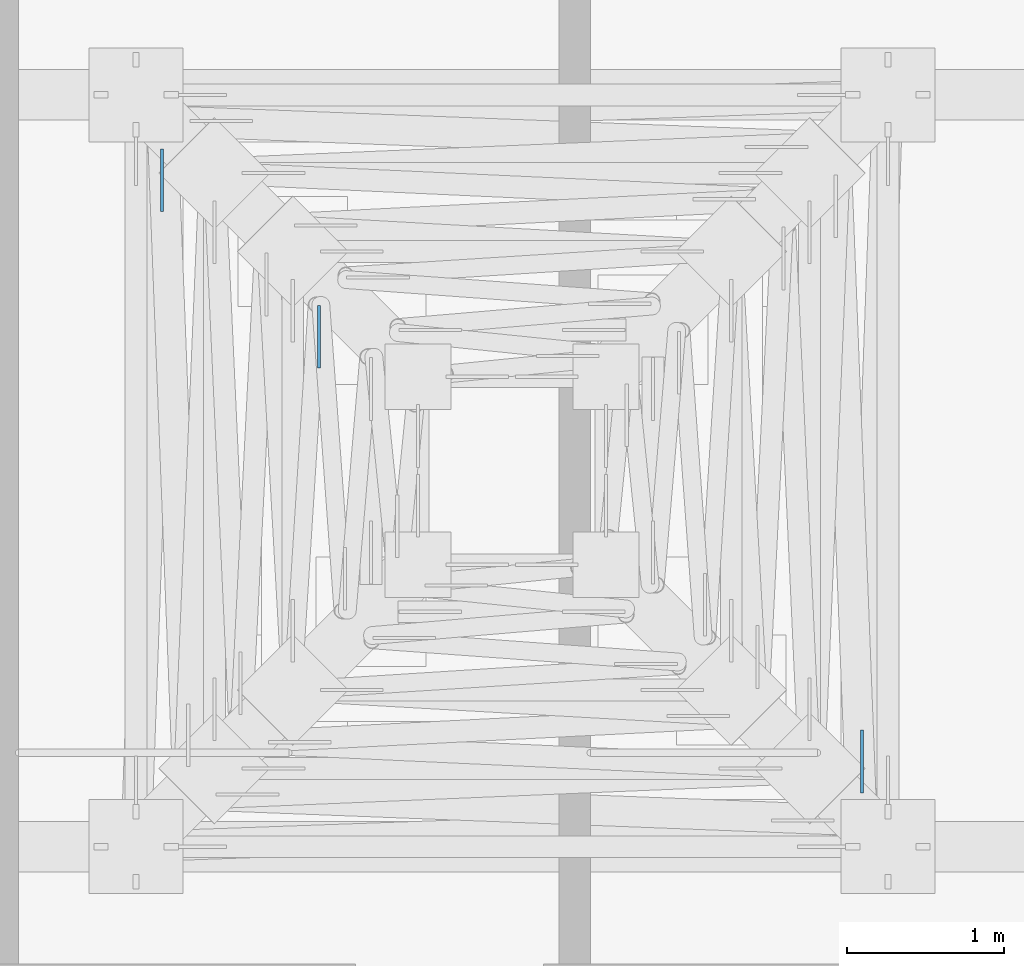
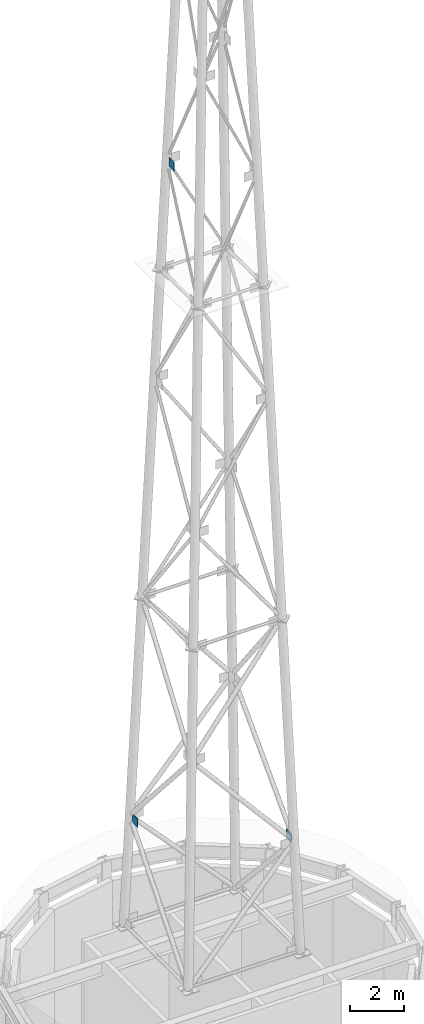
# One storey, part 9 of 15: 3 discrete accessories.
"""IFC4 building model written with IfcOpenShell, lengths in metres."""

from ifc_helpers import new_model, si_unit, direction, frame, origin, origin_2d, place, context, subcontext, project, spatial, rectangle, extrude, material, material_profile, profile_set, type_object, element, save


model = new_model("IFC4")

# Units and contexts
model_context = context("Model", 3, precision=1e-05, world=origin(), true_north=direction((0.0, 1.0)))
body_context = subcontext(model_context, "Body", "Model", "MODEL_VIEW")
ifc_project = project(units=[si_unit("LENGTHUNIT", "METRE"), si_unit("AREAUNIT", "SQUARE_METRE"), si_unit("VOLUMEUNIT", "CUBIC_METRE"), si_unit("PLANEANGLEUNIT", "RADIAN"), si_unit("MASSUNIT", "GRAM", prefix="KILO")], contexts=[model_context])

# Site, building, storey
site_placement = place(None, origin())
site = spatial("IfcSite", under=ifc_project, at=site_placement, CompositionType="ELEMENT")
building_placement = place(site_placement, origin())
building = spatial("IfcBuilding", under=site, at=building_placement, Name="Immortelle Media Tower", CompositionType="ELEMENT")
storey_placement = place(building_placement, frame((0.0, 0.0, 308.0)))
storey = spatial("IfcBuildingStorey", under=building, at=storey_placement, Name="Roof", CompositionType="ELEMENT", Elevation=308.0)

# Discrete accessories
ifc_material = material(Name="Steel ASTM A572 Gr 50", Category="steel")
ifc_material_profile = material_profile(ifc_material, rectangle(XDim=0.02001953125, YDim=0.39990234375, at=origin_2d()), Name="PL 20 x 400")
ifc_profile_set = profile_set([ifc_material_profile], Name="Steel ASTM A572 Gr 50")
discrete_accessory_type = type_object("IfcDiscreteAccessoryType", Name="Node plate GP4 400 x 400 x 20", PredefinedType="USERDEFINED", material=ifc_profile_set)
for number, where, z_axis, x_axis, name in (
    (1, (14.2333984375, 9.944580078125, 17.989990234375), (0.0, 1.0, 0.0), (-1.0, 0.0, 0.0), "Node plate GP4, leg B, face 2, node 2"),
    (2, (9.7666015625, 14.055419921875, 17.989990234375), (0.0, -1.0, 0.0), (1.0, 0.0, 0.0), "Node plate GP4, leg D, face 4, node 2"),
):
    element("IfcDiscreteAccessory", number, at=place(storey_placement, frame(where, z_axis=z_axis, x_axis=x_axis)), inside=storey, type_object=discrete_accessory_type, Name=name, ObjectType="NODE PLATE", PredefinedType="USERDEFINED", context=body_context, shape_type="SweptSolid", body=[
        extrude(rectangle(XDim=0.02001953125, YDim=0.39990234375, at=origin_2d()), origin(), (0.0, 0.0, 1.0), 0.39990234375),
    ])
discrete_accessory_placement = place(storey_placement, frame((10.766845703125, 13.055419921875, 47.989990234375), z_axis=(0.0, -1.0, 0.0), x_axis=(1.0, 0.0, 0.0)))
element("IfcDiscreteAccessory", 3, at=discrete_accessory_placement, inside=storey, type_object=discrete_accessory_type, Name="Node plate GP4, leg D, face 4, node 8", ObjectType="NODE PLATE", PredefinedType="USERDEFINED", context=body_context, shape_type="SweptSolid", body=[
    extrude(rectangle(XDim=0.02001953125, YDim=0.39990234375, at=origin_2d()), origin(), (0.0, 0.0, 1.0), 0.400146484375),
])

save(model, "model.ifc")
